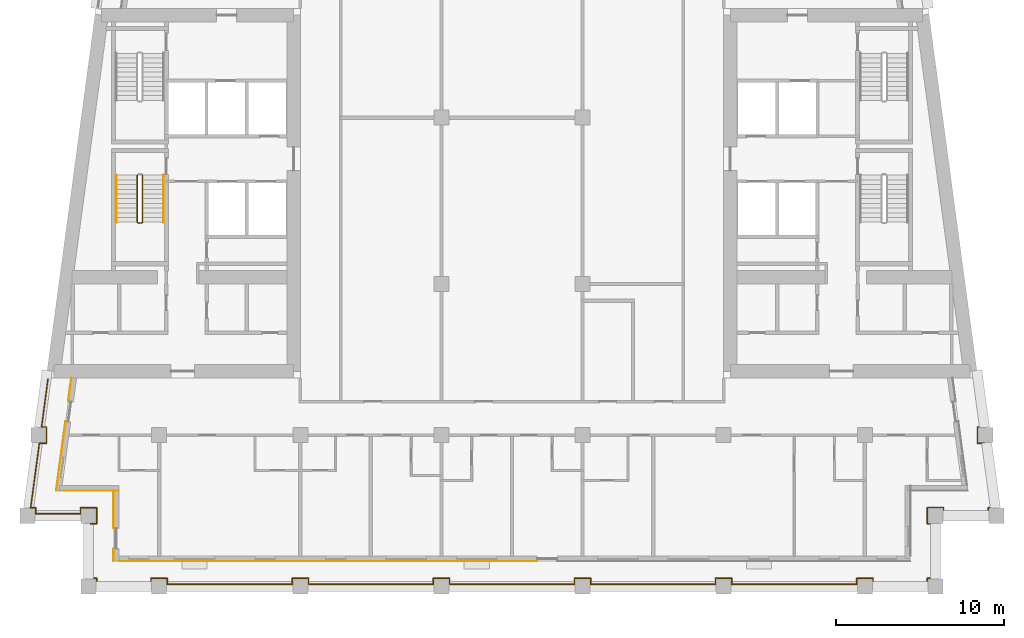
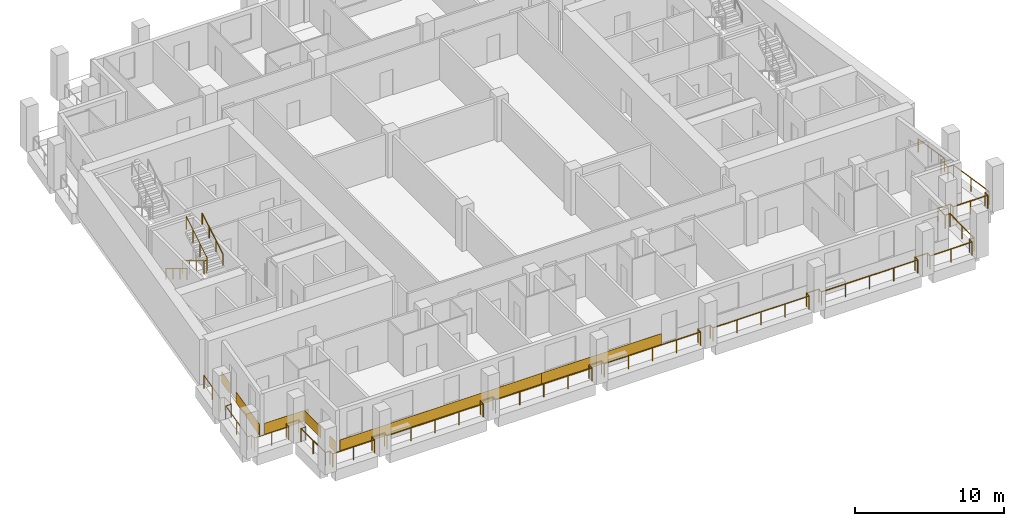
# One storey, part 9 of 13: 7 coverings, 5 railings.
"""IFC4 building model written with IfcOpenShell, lengths in metres."""

from ifc_helpers import new_model, si_unit, direction, frame, origin, origin_2d, place, context, subcontext, project, spatial, rectangle, circle, extrude, material, layer, layer_set, type_object, element, save


model = new_model("IFC4")

# Units and contexts
model_context = context("Model", 3, precision=1e-05, world=origin(), true_north=direction((0.0, 1.0)))
body_context = subcontext(model_context, "Body", "Model", "MODEL_VIEW")
ifc_project = project(units=[si_unit("LENGTHUNIT", "METRE"), si_unit("AREAUNIT", "SQUARE_METRE"), si_unit("VOLUMEUNIT", "CUBIC_METRE"), si_unit("PLANEANGLEUNIT", "RADIAN"), si_unit("MASSUNIT", "GRAM", prefix="KILO")], contexts=[model_context])

# Site, building, storey
site_placement = place(None, origin())
site = spatial("IfcSite", under=ifc_project, at=site_placement, CompositionType="ELEMENT")
building_placement = place(site_placement, origin())
building = spatial("IfcBuilding", under=site, at=building_placement, Name="Candeia Pilgrim Tower and Theatre", CompositionType="ELEMENT")
storey_placement = place(building_placement, frame((0.0, 0.0, 239.199951171875)))
storey = spatial("IfcBuildingStorey", under=building, at=storey_placement, Name="L58", CompositionType="ELEMENT", Elevation=239.199951171875)

# Railings
ifc_material_1 = material(Name="Stainless steel balustrade", Category="steel")
railing_type_1 = type_object("IfcRailingType", Name="G1 loggia guard 1100", PredefinedType="GUARDRAIL", material=ifc_material_1)
railing_1_placement = place(storey_placement, frame((88.320068359375, 101.719970703125, 0.0)))
element("IfcRailing", 1, at=railing_1_placement, inside=storey, type_object=railing_type_1, Name="Guard L58.1", PredefinedType="GUARDRAIL", context=body_context, shape_type="SweptSolid", body=[
    extrude(circle(Radius=0.02392578125, at=origin_2d()), frame((0.0, 0.0, 1.076171875), z_axis=(1.0, 0.0, 0.0), x_axis=(0.0, 1.0, 0.0)), (0.0, 0.0, 1.0), 0.35986328125),
    extrude(circle(Radius=0.02392578125, at=origin_2d()), frame((0.35986328125, 0.0, 1.076171875), z_axis=(0.0, 1.0, 0.0), x_axis=(-1.0, 0.0, 0.0)), (0.0, 0.0, 1.0), 0.9599609375),
    extrude(circle(Radius=0.02392578125, at=origin_2d()), frame((0.35986328125, 0.9599609375, 1.076171875), z_axis=(-1.0, 0.0, 0.0), x_axis=(0.0, -1.0, 0.0)), (0.0, 0.0, 1.0), 0.9599609375),
    extrude(circle(Radius=0.02392578125, at=origin_2d()), frame((-0.60009765625, 0.9599609375, 1.076171875), z_axis=(0.0, -1.0, 0.0), x_axis=(1.0, 0.0, 0.0)), (0.0, 0.0, 1.0), 0.35986328125),
    extrude(circle(Radius=0.02392578125, at=origin_2d()), frame((-0.60009765625, 0.60009765625, 1.076171875), z_axis=(-1.0, 0.0, 0.0), x_axis=(0.0, -1.0, 0.0)), (0.0, 0.0, 1.0), 2.674560546875),
    extrude(circle(Radius=0.02392578125, at=origin_2d()), frame((-3.274658203125, 0.60009765625, 1.076171875), z_axis=(0.0, 1.0, 0.0), x_axis=(-1.0, 0.0, 0.0)), (0.0, 0.0, 1.0), 0.35986328125),
    extrude(circle(Radius=0.02392578125, at=origin_2d()), frame((-3.274658203125, 0.9599609375, 1.076171875), z_axis=(-1.0, 0.0, 0.0), x_axis=(0.0, -1.0, 0.0)), (0.0, 0.0, 1.0), 0.29443359375),
    extrude(circle(Radius=0.02392578125, at=origin_2d()), frame((-3.569091796875, 0.9599609375, 1.076171875), z_axis=(0.133451286285, 0.991055373927, 0.0), x_axis=(-0.991055373927, 0.133451286285, 0.0)), (0.0, 0.0, 1.0), 3.874755859375),
    extrude(circle(Radius=0.02392578125, at=origin_2d()), frame((-3.052001953125, 4.800048828125, 1.076171875), z_axis=(1.0, 0.0, 0.0), x_axis=(0.0, 1.0, 0.0)), (0.0, 0.0, 1.0), 0.423583984375),
    extrude(circle(Radius=0.02392578125, at=origin_2d()), frame((-2.62841796875, 4.800048828125, 1.076171875), z_axis=(0.0, 1.0, 0.0), x_axis=(-1.0, 0.0, 0.0)), (0.0, 0.0, 1.0), 0.9599609375),
    extrude(circle(Radius=0.02392578125, at=origin_2d()), frame((-2.62841796875, 5.760009765625, 1.076171875), z_axis=(-1.0, 0.0, 0.0), x_axis=(0.0, -1.0, 0.0)), (0.0, 0.0, 1.0), 0.29443359375),
    extrude(circle(Radius=0.02392578125, at=origin_2d()), frame((-2.9228515625, 5.760009765625, 1.076171875), z_axis=(0.133450228179, 0.991055516406, 0.0), x_axis=(-0.991055516406, 0.133450228179, 0.0)), (0.0, 0.0, 1.0), 2.89599609375),
    extrude(circle(Radius=0.02099609375, at=origin_2d()), origin(), (0.0, 0.0, 1.0), 1.052001953125),
    extrude(circle(Radius=0.02099609375, at=origin_2d()), frame((0.35986328125, 0.0, 0.0)), (0.0, 0.0, 1.0), 1.052001953125),
    extrude(circle(Radius=0.02099609375, at=origin_2d()), frame((0.35986328125, 0.9599609375, 0.0)), (0.0, 0.0, 1.0), 1.052001953125),
    extrude(circle(Radius=0.02099609375, at=origin_2d()), frame((-0.60009765625, 0.9599609375, 0.0)), (0.0, 0.0, 1.0), 1.052001953125),
    extrude(circle(Radius=0.02099609375, at=origin_2d()), frame((-0.60009765625, 0.60009765625, 0.0)), (0.0, 0.0, 1.0), 1.052001953125),
    extrude(circle(Radius=0.02099609375, at=origin_2d()), frame((-1.9375, 0.60009765625, 0.0)), (0.0, 0.0, 1.0), 1.052001953125),
    extrude(circle(Radius=0.02099609375, at=origin_2d()), frame((-3.274658203125, 0.60009765625, 0.0)), (0.0, 0.0, 1.0), 1.052001953125),
    extrude(circle(Radius=0.02099609375, at=origin_2d()), frame((-3.274658203125, 0.9599609375, 0.0)), (0.0, 0.0, 1.0), 1.052001953125),
    extrude(circle(Radius=0.02099609375, at=origin_2d()), frame((-3.569091796875, 0.9599609375, 0.0)), (0.0, 0.0, 1.0), 1.052001953125),
    extrude(circle(Radius=0.02099609375, at=origin_2d()), frame((-3.310546875, 2.8798828125, 0.0)), (0.0, 0.0, 1.0), 1.052001953125),
    extrude(circle(Radius=0.02099609375, at=origin_2d()), frame((-3.052001953125, 4.800048828125, 0.0)), (0.0, 0.0, 1.0), 1.052001953125),
    extrude(circle(Radius=0.02099609375, at=origin_2d()), frame((-2.62841796875, 4.800048828125, 0.0)), (0.0, 0.0, 1.0), 1.052001953125),
    extrude(circle(Radius=0.02099609375, at=origin_2d()), frame((-2.62841796875, 5.760009765625, 0.0)), (0.0, 0.0, 1.0), 1.052001953125),
    extrude(circle(Radius=0.02099609375, at=origin_2d()), frame((-2.9228515625, 5.760009765625, 0.0)), (0.0, 0.0, 1.0), 1.052001953125),
    extrude(circle(Radius=0.02099609375, at=origin_2d()), frame((-2.7294921875, 7.195068359375, 0.0)), (0.0, 0.0, 1.0), 1.052001953125),
    extrude(circle(Radius=0.02099609375, at=origin_2d()), frame((-2.536376953125, 8.630126953125, 0.0)), (0.0, 0.0, 1.0), 1.052001953125),
])
railing_2_placement = place(storey_placement, frame((141.016357421875, 110.35009765625, 0.0)))
element("IfcRailing", 2, at=railing_2_placement, inside=storey, type_object=railing_type_1, Name="Guard L58.4", PredefinedType="GUARDRAIL", context=body_context, shape_type="SweptSolid", body=[
    extrude(circle(Radius=0.02392578125, at=origin_2d()), frame((0.0, 0.0, 1.076171875), z_axis=(0.133450228179, -0.991055516406, 0.0), x_axis=(0.991055516406, 0.133450228179, 0.0)), (0.0, 0.0, 1.0), 2.89599609375),
    extrude(circle(Radius=0.02392578125, at=origin_2d()), frame((0.386474609375, -2.8701171875, 1.076171875), z_axis=(-1.0, 0.0, 0.0), x_axis=(0.0, -1.0, 0.0)), (0.0, 0.0, 1.0), 0.29443359375),
    extrude(circle(Radius=0.02392578125, at=origin_2d()), frame((0.092041015625, -2.8701171875, 1.076171875), z_axis=(0.0, -1.0, 0.0), x_axis=(1.0, 0.0, 0.0)), (0.0, 0.0, 1.0), 0.9599609375),
    extrude(circle(Radius=0.02392578125, at=origin_2d()), frame((0.092041015625, -3.830078125, 1.076171875), z_axis=(1.0, 0.0, 0.0), x_axis=(0.0, 1.0, 0.0)), (0.0, 0.0, 1.0), 0.423583984375),
    extrude(circle(Radius=0.02392578125, at=origin_2d()), frame((0.515625, -3.830078125, 1.076171875), z_axis=(0.133389399471, -0.991063705374, 0.0), x_axis=(0.991063705374, 0.133389399471, 0.0)), (0.0, 0.0, 1.0), 3.874755859375),
    extrude(circle(Radius=0.02392578125, at=origin_2d()), frame((1.032470703125, -7.670166015625, 1.076171875), z_axis=(-1.0, 0.0, 0.0), x_axis=(0.0, -1.0, 0.0)), (0.0, 0.0, 1.0), 0.294189453125),
    extrude(circle(Radius=0.02392578125, at=origin_2d()), frame((0.73828125, -7.670166015625, 1.076171875), z_axis=(0.0, -1.0, 0.0), x_axis=(1.0, 0.0, 0.0)), (0.0, 0.0, 1.0), 0.35986328125),
    extrude(circle(Radius=0.02392578125, at=origin_2d()), frame((0.73828125, -8.030029296875, 1.076171875), z_axis=(-1.0, 0.0, 0.0), x_axis=(0.0, -1.0, 0.0)), (0.0, 0.0, 1.0), 2.674560546875),
    extrude(circle(Radius=0.02392578125, at=origin_2d()), frame((-1.936279296875, -8.030029296875, 1.076171875), z_axis=(0.0, 1.0, 0.0), x_axis=(-1.0, 0.0, 0.0)), (0.0, 0.0, 1.0), 0.35986328125),
    extrude(circle(Radius=0.02392578125, at=origin_2d()), frame((-1.936279296875, -7.670166015625, 1.076171875), z_axis=(-1.0, 0.0, 0.0), x_axis=(0.0, -1.0, 0.0)), (0.0, 0.0, 1.0), 0.9599609375),
    extrude(circle(Radius=0.02392578125, at=origin_2d()), frame((-2.896240234375, -7.670166015625, 1.076171875), z_axis=(0.0, -1.0, 0.0), x_axis=(1.0, 0.0, 0.0)), (0.0, 0.0, 1.0), 0.9599609375),
    extrude(circle(Radius=0.02392578125, at=origin_2d()), frame((-2.896240234375, -8.630126953125, 1.076171875), z_axis=(1.0, 0.0, 0.0), x_axis=(0.0, 1.0, 0.0)), (0.0, 0.0, 1.0), 0.35986328125),
    extrude(circle(Radius=0.02392578125, at=origin_2d()), frame((-2.536376953125, -8.630126953125, 1.076171875), z_axis=(0.0, -1.0, 0.0), x_axis=(1.0, 0.0, 0.0)), (0.0, 0.0, 1.0), 3.239990234375),
    extrude(circle(Radius=0.02392578125, at=origin_2d()), frame((-2.536376953125, -11.8701171875, 1.076171875), z_axis=(-1.0, 0.0, 0.0), x_axis=(0.0, -1.0, 0.0)), (0.0, 0.0, 1.0), 0.35986328125),
    extrude(circle(Radius=0.02392578125, at=origin_2d()), frame((-2.896240234375, -11.8701171875, 1.076171875), z_axis=(0.0, -1.0, 0.0), x_axis=(1.0, 0.0, 0.0)), (0.0, 0.0, 1.0), 0.35986328125),
    extrude(circle(Radius=0.02392578125, at=origin_2d()), frame((-2.896240234375, -12.22998046875, 1.076171875), z_axis=(-1.0, 0.0, 0.0), x_axis=(0.0, -1.0, 0.0)), (0.0, 0.0, 1.0), 3.240234375),
    extrude(circle(Radius=0.02392578125, at=origin_2d()), frame((-6.136474609375, -12.22998046875, 1.076171875), z_axis=(0.0, 1.0, 0.0), x_axis=(-1.0, 0.0, 0.0)), (0.0, 0.0, 1.0), 0.35986328125),
    extrude(circle(Radius=0.02392578125, at=origin_2d()), frame((-6.136474609375, -11.8701171875, 1.076171875), z_axis=(-1.0, 0.0, 0.0), x_axis=(0.0, -1.0, 0.0)), (0.0, 0.0, 1.0), 0.9599609375),
    extrude(circle(Radius=0.02392578125, at=origin_2d()), frame((-7.096435546875, -11.8701171875, 1.076171875), z_axis=(0.0, -1.0, 0.0), x_axis=(1.0, 0.0, 0.0)), (0.0, 0.0, 1.0), 0.35986328125),
    extrude(circle(Radius=0.02392578125, at=origin_2d()), frame((-7.096435546875, -12.22998046875, 1.076171875), z_axis=(-1.0, 0.0, 0.0), x_axis=(0.0, -1.0, 0.0)), (0.0, 0.0, 1.0), 7.43994140625),
    extrude(circle(Radius=0.02392578125, at=origin_2d()), frame((-14.536376953125, -12.22998046875, 1.076171875), z_axis=(0.0, 1.0, 0.0), x_axis=(-1.0, 0.0, 0.0)), (0.0, 0.0, 1.0), 0.35986328125),
    extrude(circle(Radius=0.02392578125, at=origin_2d()), frame((-14.536376953125, -11.8701171875, 1.076171875), z_axis=(-1.0, 0.0, 0.0), x_axis=(0.0, -1.0, 0.0)), (0.0, 0.0, 1.0), 0.9599609375),
    extrude(circle(Radius=0.02392578125, at=origin_2d()), frame((-15.496337890625, -11.8701171875, 1.076171875), z_axis=(0.0, -1.0, 0.0), x_axis=(1.0, 0.0, 0.0)), (0.0, 0.0, 1.0), 0.35986328125),
    extrude(circle(Radius=0.02392578125, at=origin_2d()), frame((-15.496337890625, -12.22998046875, 1.076171875), z_axis=(-1.0, 0.0, 0.0), x_axis=(0.0, -1.0, 0.0)), (0.0, 0.0, 1.0), 7.43994140625),
    extrude(circle(Radius=0.02392578125, at=origin_2d()), frame((-22.936279296875, -12.22998046875, 1.076171875), z_axis=(0.0, 1.0, 0.0), x_axis=(-1.0, 0.0, 0.0)), (0.0, 0.0, 1.0), 0.35986328125),
    extrude(circle(Radius=0.02392578125, at=origin_2d()), frame((-22.936279296875, -11.8701171875, 1.076171875), z_axis=(-1.0, 0.0, 0.0), x_axis=(0.0, -1.0, 0.0)), (0.0, 0.0, 1.0), 0.9599609375),
    extrude(circle(Radius=0.02392578125, at=origin_2d()), frame((-23.896240234375, -11.8701171875, 1.076171875), z_axis=(0.0, -1.0, 0.0), x_axis=(1.0, 0.0, 0.0)), (0.0, 0.0, 1.0), 0.35986328125),
    extrude(circle(Radius=0.02392578125, at=origin_2d()), frame((-23.896240234375, -12.22998046875, 1.076171875), z_axis=(-1.0, 0.0, 0.0), x_axis=(0.0, -1.0, 0.0)), (0.0, 0.0, 1.0), 7.440185546875),
    extrude(circle(Radius=0.02392578125, at=origin_2d()), frame((-31.33642578125, -12.22998046875, 1.076171875), z_axis=(0.0, 1.0, 0.0), x_axis=(-1.0, 0.0, 0.0)), (0.0, 0.0, 1.0), 0.35986328125),
    extrude(circle(Radius=0.02392578125, at=origin_2d()), frame((-31.33642578125, -11.8701171875, 1.076171875), z_axis=(-1.0, 0.0, 0.0), x_axis=(0.0, -1.0, 0.0)), (0.0, 0.0, 1.0), 0.9599609375),
    extrude(circle(Radius=0.02392578125, at=origin_2d()), frame((-32.29638671875, -11.8701171875, 1.076171875), z_axis=(0.0, -1.0, 0.0), x_axis=(1.0, 0.0, 0.0)), (0.0, 0.0, 1.0), 0.35986328125),
    extrude(circle(Radius=0.02392578125, at=origin_2d()), frame((-32.29638671875, -12.22998046875, 1.076171875), z_axis=(-1.0, 0.0, 0.0), x_axis=(0.0, -1.0, 0.0)), (0.0, 0.0, 1.0), 7.43994140625),
    extrude(circle(Radius=0.02392578125, at=origin_2d()), frame((-39.736328125, -12.22998046875, 1.076171875), z_axis=(0.0, 1.0, 0.0), x_axis=(-1.0, 0.0, 0.0)), (0.0, 0.0, 1.0), 0.35986328125),
    extrude(circle(Radius=0.02392578125, at=origin_2d()), frame((-39.736328125, -11.8701171875, 1.076171875), z_axis=(-1.0, 0.0, 0.0), x_axis=(0.0, -1.0, 0.0)), (0.0, 0.0, 1.0), 0.9599609375),
    extrude(circle(Radius=0.02392578125, at=origin_2d()), frame((-40.6962890625, -11.8701171875, 1.076171875), z_axis=(0.0, -1.0, 0.0), x_axis=(1.0, 0.0, 0.0)), (0.0, 0.0, 1.0), 0.35986328125),
    extrude(circle(Radius=0.02392578125, at=origin_2d()), frame((-40.6962890625, -12.22998046875, 1.076171875), z_axis=(-1.0, 0.0, 0.0), x_axis=(0.0, -1.0, 0.0)), (0.0, 0.0, 1.0), 7.440185546875),
    extrude(circle(Radius=0.02392578125, at=origin_2d()), frame((-48.136474609375, -12.22998046875, 1.076171875), z_axis=(0.0, 1.0, 0.0), x_axis=(-1.0, 0.0, 0.0)), (0.0, 0.0, 1.0), 0.35986328125),
    extrude(circle(Radius=0.02392578125, at=origin_2d()), frame((-48.136474609375, -11.8701171875, 1.076171875), z_axis=(-1.0, 0.0, 0.0), x_axis=(0.0, -1.0, 0.0)), (0.0, 0.0, 1.0), 0.9599609375),
    extrude(circle(Radius=0.02392578125, at=origin_2d()), frame((-49.096435546875, -11.8701171875, 1.076171875), z_axis=(0.0, -1.0, 0.0), x_axis=(1.0, 0.0, 0.0)), (0.0, 0.0, 1.0), 0.35986328125),
    extrude(circle(Radius=0.02392578125, at=origin_2d()), frame((-49.096435546875, -12.22998046875, 1.076171875), z_axis=(-1.0, 0.0, 0.0), x_axis=(0.0, -1.0, 0.0)), (0.0, 0.0, 1.0), 3.239990234375),
    extrude(circle(Radius=0.02392578125, at=origin_2d()), frame((-52.33642578125, -12.22998046875, 1.076171875), z_axis=(0.0, 1.0, 0.0), x_axis=(-1.0, 0.0, 0.0)), (0.0, 0.0, 1.0), 0.35986328125),
    extrude(circle(Radius=0.02392578125, at=origin_2d()), frame((-52.33642578125, -11.8701171875, 1.076171875), z_axis=(-1.0, 0.0, 0.0), x_axis=(0.0, -1.0, 0.0)), (0.0, 0.0, 1.0), 0.35986328125),
    extrude(circle(Radius=0.02392578125, at=origin_2d()), frame((-52.6962890625, -11.8701171875, 1.076171875), z_axis=(0.0, 1.0, 0.0), x_axis=(-1.0, 0.0, 0.0)), (0.0, 0.0, 1.0), 3.239990234375),
    extrude(circle(Radius=0.02099609375, at=origin_2d()), origin(), (0.0, 0.0, 1.0), 1.052001953125),
    extrude(circle(Radius=0.02099609375, at=origin_2d()), frame((0.193359375, -1.43505859375, 0.0)), (0.0, 0.0, 1.0), 1.052001953125),
    extrude(circle(Radius=0.02099609375, at=origin_2d()), frame((0.386474609375, -2.8701171875, 0.0)), (0.0, 0.0, 1.0), 1.052001953125),
    extrude(circle(Radius=0.02099609375, at=origin_2d()), frame((0.092041015625, -2.8701171875, 0.0)), (0.0, 0.0, 1.0), 1.052001953125),
    extrude(circle(Radius=0.02099609375, at=origin_2d()), frame((0.092041015625, -3.830078125, 0.0)), (0.0, 0.0, 1.0), 1.052001953125),
    extrude(circle(Radius=0.02099609375, at=origin_2d()), frame((0.515625, -3.830078125, 0.0)), (0.0, 0.0, 1.0), 1.052001953125),
    extrude(circle(Radius=0.02099609375, at=origin_2d()), frame((0.77392578125, -5.75, 0.0)), (0.0, 0.0, 1.0), 1.052001953125),
    extrude(circle(Radius=0.02099609375, at=origin_2d()), frame((1.032470703125, -7.670166015625, 0.0)), (0.0, 0.0, 1.0), 1.052001953125),
    extrude(circle(Radius=0.02099609375, at=origin_2d()), frame((0.73828125, -7.670166015625, 0.0)), (0.0, 0.0, 1.0), 1.052001953125),
    extrude(circle(Radius=0.02099609375, at=origin_2d()), frame((0.73828125, -8.030029296875, 0.0)), (0.0, 0.0, 1.0), 1.052001953125),
    extrude(circle(Radius=0.02099609375, at=origin_2d()), frame((-0.59912109375, -8.030029296875, 0.0)), (0.0, 0.0, 1.0), 1.052001953125),
    extrude(circle(Radius=0.02099609375, at=origin_2d()), frame((-1.936279296875, -8.030029296875, 0.0)), (0.0, 0.0, 1.0), 1.052001953125),
    extrude(circle(Radius=0.02099609375, at=origin_2d()), frame((-1.936279296875, -7.670166015625, 0.0)), (0.0, 0.0, 1.0), 1.052001953125),
    extrude(circle(Radius=0.02099609375, at=origin_2d()), frame((-2.896240234375, -7.670166015625, 0.0)), (0.0, 0.0, 1.0), 1.052001953125),
    extrude(circle(Radius=0.02099609375, at=origin_2d()), frame((-2.896240234375, -8.630126953125, 0.0)), (0.0, 0.0, 1.0), 1.052001953125),
    extrude(circle(Radius=0.02099609375, at=origin_2d()), frame((-2.536376953125, -8.630126953125, 0.0)), (0.0, 0.0, 1.0), 1.052001953125),
    extrude(circle(Radius=0.02099609375, at=origin_2d()), frame((-2.536376953125, -10.25, 0.0)), (0.0, 0.0, 1.0), 1.052001953125),
    extrude(circle(Radius=0.02099609375, at=origin_2d()), frame((-2.536376953125, -11.8701171875, 0.0)), (0.0, 0.0, 1.0), 1.052001953125),
    extrude(circle(Radius=0.02099609375, at=origin_2d()), frame((-2.896240234375, -11.8701171875, 0.0)), (0.0, 0.0, 1.0), 1.052001953125),
    extrude(circle(Radius=0.02099609375, at=origin_2d()), frame((-2.896240234375, -12.22998046875, 0.0)), (0.0, 0.0, 1.0), 1.052001953125),
    extrude(circle(Radius=0.02099609375, at=origin_2d()), frame((-4.516357421875, -12.22998046875, 0.0)), (0.0, 0.0, 1.0), 1.052001953125),
    extrude(circle(Radius=0.02099609375, at=origin_2d()), frame((-6.136474609375, -12.22998046875, 0.0)), (0.0, 0.0, 1.0), 1.052001953125),
    extrude(circle(Radius=0.02099609375, at=origin_2d()), frame((-6.136474609375, -11.8701171875, 0.0)), (0.0, 0.0, 1.0), 1.052001953125),
    extrude(circle(Radius=0.02099609375, at=origin_2d()), frame((-7.096435546875, -11.8701171875, 0.0)), (0.0, 0.0, 1.0), 1.052001953125),
    extrude(circle(Radius=0.02099609375, at=origin_2d()), frame((-7.096435546875, -12.22998046875, 0.0)), (0.0, 0.0, 1.0), 1.052001953125),
    extrude(circle(Radius=0.02099609375, at=origin_2d()), frame((-8.95654296875, -12.22998046875, 0.0)), (0.0, 0.0, 1.0), 1.052001953125),
    extrude(circle(Radius=0.02099609375, at=origin_2d()), frame((-10.81640625, -12.22998046875, 0.0)), (0.0, 0.0, 1.0), 1.052001953125),
    extrude(circle(Radius=0.02099609375, at=origin_2d()), frame((-12.67626953125, -12.22998046875, 0.0)), (0.0, 0.0, 1.0), 1.052001953125),
    extrude(circle(Radius=0.02099609375, at=origin_2d()), frame((-14.536376953125, -12.22998046875, 0.0)), (0.0, 0.0, 1.0), 1.052001953125),
    extrude(circle(Radius=0.02099609375, at=origin_2d()), frame((-14.536376953125, -11.8701171875, 0.0)), (0.0, 0.0, 1.0), 1.052001953125),
    extrude(circle(Radius=0.02099609375, at=origin_2d()), frame((-15.496337890625, -11.8701171875, 0.0)), (0.0, 0.0, 1.0), 1.052001953125),
    extrude(circle(Radius=0.02099609375, at=origin_2d()), frame((-15.496337890625, -12.22998046875, 0.0)), (0.0, 0.0, 1.0), 1.052001953125),
    extrude(circle(Radius=0.02099609375, at=origin_2d()), frame((-17.3564453125, -12.22998046875, 0.0)), (0.0, 0.0, 1.0), 1.052001953125),
    extrude(circle(Radius=0.02099609375, at=origin_2d()), frame((-19.21630859375, -12.22998046875, 0.0)), (0.0, 0.0, 1.0), 1.052001953125),
    extrude(circle(Radius=0.02099609375, at=origin_2d()), frame((-21.076171875, -12.22998046875, 0.0)), (0.0, 0.0, 1.0), 1.052001953125),
    extrude(circle(Radius=0.02099609375, at=origin_2d()), frame((-22.936279296875, -12.22998046875, 0.0)), (0.0, 0.0, 1.0), 1.052001953125),
    extrude(circle(Radius=0.02099609375, at=origin_2d()), frame((-22.936279296875, -11.8701171875, 0.0)), (0.0, 0.0, 1.0), 1.052001953125),
    extrude(circle(Radius=0.02099609375, at=origin_2d()), frame((-23.896240234375, -11.8701171875, 0.0)), (0.0, 0.0, 1.0), 1.052001953125),
    extrude(circle(Radius=0.02099609375, at=origin_2d()), frame((-23.896240234375, -12.22998046875, 0.0)), (0.0, 0.0, 1.0), 1.052001953125),
    extrude(circle(Radius=0.02099609375, at=origin_2d()), frame((-25.75634765625, -12.22998046875, 0.0)), (0.0, 0.0, 1.0), 1.052001953125),
    extrude(circle(Radius=0.02099609375, at=origin_2d()), frame((-27.6162109375, -12.22998046875, 0.0)), (0.0, 0.0, 1.0), 1.052001953125),
    extrude(circle(Radius=0.02099609375, at=origin_2d()), frame((-29.476318359375, -12.22998046875, 0.0)), (0.0, 0.0, 1.0), 1.052001953125),
    extrude(circle(Radius=0.02099609375, at=origin_2d()), frame((-31.33642578125, -12.22998046875, 0.0)), (0.0, 0.0, 1.0), 1.052001953125),
    extrude(circle(Radius=0.02099609375, at=origin_2d()), frame((-31.33642578125, -11.8701171875, 0.0)), (0.0, 0.0, 1.0), 1.052001953125),
    extrude(circle(Radius=0.02099609375, at=origin_2d()), frame((-32.29638671875, -11.8701171875, 0.0)), (0.0, 0.0, 1.0), 1.052001953125),
    extrude(circle(Radius=0.02099609375, at=origin_2d()), frame((-32.29638671875, -12.22998046875, 0.0)), (0.0, 0.0, 1.0), 1.052001953125),
    extrude(circle(Radius=0.02099609375, at=origin_2d()), frame((-34.15625, -12.22998046875, 0.0)), (0.0, 0.0, 1.0), 1.052001953125),
    extrude(circle(Radius=0.02099609375, at=origin_2d()), frame((-36.016357421875, -12.22998046875, 0.0)), (0.0, 0.0, 1.0), 1.052001953125),
    extrude(circle(Radius=0.02099609375, at=origin_2d()), frame((-37.87646484375, -12.22998046875, 0.0)), (0.0, 0.0, 1.0), 1.052001953125),
    extrude(circle(Radius=0.02099609375, at=origin_2d()), frame((-39.736328125, -12.22998046875, 0.0)), (0.0, 0.0, 1.0), 1.052001953125),
    extrude(circle(Radius=0.02099609375, at=origin_2d()), frame((-39.736328125, -11.8701171875, 0.0)), (0.0, 0.0, 1.0), 1.052001953125),
    extrude(circle(Radius=0.02099609375, at=origin_2d()), frame((-40.6962890625, -11.8701171875, 0.0)), (0.0, 0.0, 1.0), 1.052001953125),
    extrude(circle(Radius=0.02099609375, at=origin_2d()), frame((-40.6962890625, -12.22998046875, 0.0)), (0.0, 0.0, 1.0), 1.052001953125),
    extrude(circle(Radius=0.02099609375, at=origin_2d()), frame((-42.556396484375, -12.22998046875, 0.0)), (0.0, 0.0, 1.0), 1.052001953125),
    extrude(circle(Radius=0.02099609375, at=origin_2d()), frame((-44.41650390625, -12.22998046875, 0.0)), (0.0, 0.0, 1.0), 1.052001953125),
    extrude(circle(Radius=0.02099609375, at=origin_2d()), frame((-46.2763671875, -12.22998046875, 0.0)), (0.0, 0.0, 1.0), 1.052001953125),
    extrude(circle(Radius=0.02099609375, at=origin_2d()), frame((-48.136474609375, -12.22998046875, 0.0)), (0.0, 0.0, 1.0), 1.052001953125),
    extrude(circle(Radius=0.02099609375, at=origin_2d()), frame((-48.136474609375, -11.8701171875, 0.0)), (0.0, 0.0, 1.0), 1.052001953125),
    extrude(circle(Radius=0.02099609375, at=origin_2d()), frame((-49.096435546875, -11.8701171875, 0.0)), (0.0, 0.0, 1.0), 1.052001953125),
    extrude(circle(Radius=0.02099609375, at=origin_2d()), frame((-49.096435546875, -12.22998046875, 0.0)), (0.0, 0.0, 1.0), 1.052001953125),
    extrude(circle(Radius=0.02099609375, at=origin_2d()), frame((-50.71630859375, -12.22998046875, 0.0)), (0.0, 0.0, 1.0), 1.052001953125),
    extrude(circle(Radius=0.02099609375, at=origin_2d()), frame((-52.33642578125, -12.22998046875, 0.0)), (0.0, 0.0, 1.0), 1.052001953125),
    extrude(circle(Radius=0.02099609375, at=origin_2d()), frame((-52.33642578125, -11.8701171875, 0.0)), (0.0, 0.0, 1.0), 1.052001953125),
    extrude(circle(Radius=0.02099609375, at=origin_2d()), frame((-52.6962890625, -11.8701171875, 0.0)), (0.0, 0.0, 1.0), 1.052001953125),
    extrude(circle(Radius=0.02099609375, at=origin_2d()), frame((-52.6962890625, -10.25, 0.0)), (0.0, 0.0, 1.0), 1.052001953125),
    extrude(circle(Radius=0.02099609375, at=origin_2d()), frame((-52.6962890625, -8.630126953125, 0.0)), (0.0, 0.0, 1.0), 1.052001953125),
])

# Coverings
ifc_material_2 = material(Name="Glazed ceramic tile bottle green")
ifc_layer_1 = layer(ifc_material_2, 0.02001953125)
ifc_layer_set_1 = layer_set([ifc_layer_1], Name="Glazed ceramic tile bottle green")
covering_type_1 = type_object("IfcCoveringType", Name="Glazed ceramic tile bottle green", PredefinedType="CLADDING", material=ifc_layer_set_1)
covering_1_placement = place(storey_placement, frame((110.25, 99.489990234375, 0.0), z_axis=(0.0, 0.0, 1.0), x_axis=(1.0, 0.0, 0.0)))
element("IfcCovering", 3, at=covering_1_placement, inside=storey, type_object=covering_type_1, Name="Tile cladding bottle green L58", PredefinedType="CLADDING", context=body_context, shape_type="SweptSolid", body=[
    extrude(rectangle(XDim=9.300048828125, YDim=0.02001953125, at=origin_2d()), origin(), (0.0, 0.0, 1.0), 0.89990234375),
])
ifc_material_3 = material(Name="Glazed ceramic tile rust")
ifc_layer_2 = layer(ifc_material_3, 0.02001953125)
ifc_layer_set_2 = layer_set([ifc_layer_2], Name="Glazed ceramic tile rust")
covering_type_2 = type_object("IfcCoveringType", Name="Glazed ceramic tile rust", PredefinedType="CLADDING", material=ifc_layer_set_2)
covering_2_placement = place(storey_placement, frame((97.81005859375, 99.489990234375, 0.0), z_axis=(0.0, 0.0, 1.0), x_axis=(1.0, 0.0, 0.0)))
element("IfcCovering", 4, at=covering_2_placement, inside=storey, type_object=covering_type_2, Name="Tile cladding rust L58", PredefinedType="CLADDING", context=body_context, shape_type="SweptSolid", body=[
    extrude(rectangle(XDim=15.580078125, YDim=0.02001953125, at=origin_2d()), origin(), (0.0, 0.0, 1.0), 0.89990234375),
])
covering_3_placement = place(storey_placement, frame((87.0810546875, 109.71875, 0.0), z_axis=(0.0, 0.0, 1.0), x_axis=(-0.133412012145, -0.991060661622, 0.0)))
element("IfcCovering", 5, at=covering_3_placement, inside=storey, type_object=covering_type_2, Name="Tile cladding rust L58", PredefinedType="CLADDING", context=body_context, shape_type="SweptSolid", body=[
    extrude(rectangle(XDim=1.41796875, YDim=0.02001953125, at=origin_2d()), origin(), (0.0, 0.0, 1.0), 0.89990234375),
])
covering_4_placement = place(storey_placement, frame((86.548583984375, 105.763916015625, 0.0), z_axis=(0.0, 0.0, 1.0), x_axis=(-0.133412012145, -0.991060661622, 0.0)))
element("IfcCovering", 6, at=covering_4_placement, inside=storey, type_object=covering_type_2, Name="Tile cladding rust L58", PredefinedType="CLADDING", context=body_context, shape_type="SweptSolid", body=[
    extrude(rectangle(XDim=4.16259765625, YDim=0.02001953125, at=origin_2d()), origin(), (0.0, 0.0, 1.0), 0.89990234375),
])
covering_5_placement = place(storey_placement, frame((88.311279296875, 103.68994140625, 0.0), z_axis=(0.0, 0.0, 1.0), x_axis=(1.0, 0.0, 0.0)))
element("IfcCovering", 7, at=covering_5_placement, inside=storey, type_object=covering_type_2, Name="Tile cladding rust L58", PredefinedType="CLADDING", context=body_context, shape_type="SweptSolid", body=[
    extrude(rectangle(XDim=3.377685546875, YDim=0.02001953125, at=origin_2d()), origin(), (0.0, 0.0, 1.0), 0.89990234375),
])
covering_6_placement = place(storey_placement, frame((89.68994140625, 102.56494140625, 0.0), z_axis=(0.0, 0.0, 1.0), x_axis=(0.0, -1.0, 0.0)))
element("IfcCovering", 8, at=covering_6_placement, inside=storey, type_object=covering_type_2, Name="Tile cladding rust L58", PredefinedType="CLADDING", context=body_context, shape_type="SweptSolid", body=[
    extrude(rectangle(XDim=2.22998046875, YDim=0.02001953125, at=origin_2d()), origin(), (0.0, 0.0, 1.0), 0.89990234375),
])
covering_7_placement = place(storey_placement, frame((89.68994140625, 99.875, 0.0), z_axis=(0.0, 0.0, 1.0), x_axis=(0.0, -1.0, 0.0)))
element("IfcCovering", 9, at=covering_7_placement, inside=storey, type_object=covering_type_2, Name="Tile cladding rust L58", PredefinedType="CLADDING", context=body_context, shape_type="SweptSolid", body=[
    extrude(rectangle(XDim=0.75, YDim=0.02001953125, at=origin_2d()), origin(), (0.0, 0.0, 1.0), 0.89990234375),
])

# Railings
railing_type_2 = type_object("IfcRailingType", Name="RL-GUARD-1100", PredefinedType="GUARDRAIL", material=ifc_material_1)
railing_3_placement = place(storey_placement, frame((91.10205078125, 122.47509765625, 0.168212890625)))
element("IfcRailing", 10, at=railing_3_placement, inside=storey, type_object=railing_type_2, Name="L58 ST1 stair guard 1", PredefinedType="GUARDRAIL", context=body_context, shape_type="SweptSolid", body=[
    extrude(circle(Radius=0.02392578125, at=origin_2d()), frame((0.0, 0.0, 1.076171875), z_axis=(0.0, -0.857242210791, 0.514913383045), x_axis=(1.0, 0.0, 0.0)), (0.0, 0.0, 1.0), 3.266357421875),
    extrude(circle(Radius=0.02392578125, at=origin_2d()), frame((0.0, -2.800048828125, 2.7578125), z_axis=(0.707106781187, -0.707106781187, 0.0), x_axis=(0.707106781187, 0.707106781187, 0.0)), (0.0, 0.0, 1.0), 0.07080078125),
    extrude(circle(Radius=0.02392578125, at=origin_2d()), frame((0.050048828125, -2.85009765625, 2.7578125), z_axis=(1.0, 0.0, 0.0), x_axis=(0.0, 1.0, 0.0)), (0.0, 0.0, 1.0), 0.199951171875),
    extrude(circle(Radius=0.02392578125, at=origin_2d()), frame((0.25, -2.85009765625, 2.7578125), z_axis=(0.274243871929, 0.274243871929, 0.92172696468), x_axis=(-0.707106781187, 0.707106781187, 0.0)), (0.0, 0.0, 1.0), 0.1826171875),
    extrude(circle(Radius=0.02392578125, at=origin_2d()), frame((0.300048828125, -2.800048828125, 2.92626953125), z_axis=(0.0, 0.857275202839, 0.514858452973), x_axis=(-1.0, 0.0, 0.0)), (0.0, 0.0, 1.0), 3.26611328125),
    extrude(circle(Radius=0.02099609375, at=origin_2d()), origin(), (0.0, 0.0, 1.0), 1.052001953125),
    extrude(circle(Radius=0.02099609375, at=origin_2d()), frame((0.0, -0.933349609375, 0.560546875)), (0.0, 0.0, 1.0), 1.052001953125),
    extrude(circle(Radius=0.02099609375, at=origin_2d()), frame((0.0, -1.86669921875, 1.121337890625)), (0.0, 0.0, 1.0), 1.052001953125),
    extrude(circle(Radius=0.02099609375, at=origin_2d()), frame((0.0, -2.800048828125, 1.681884765625)), (0.0, 0.0, 1.0), 1.052001953125),
    extrude(circle(Radius=0.02099609375, at=origin_2d()), frame((0.050048828125, -2.85009765625, 1.681884765625)), (0.0, 0.0, 1.0), 1.052001953125),
    extrude(circle(Radius=0.02099609375, at=origin_2d()), frame((0.25, -2.85009765625, 1.681884765625)), (0.0, 0.0, 1.0), 1.052001953125),
    extrude(circle(Radius=0.02099609375, at=origin_2d()), frame((0.300048828125, -2.800048828125, 1.85009765625)), (0.0, 0.0, 1.0), 1.052001953125),
    extrude(circle(Radius=0.02099609375, at=origin_2d()), frame((0.300048828125, -1.86669921875, 2.41064453125)), (0.0, 0.0, 1.0), 1.052001953125),
    extrude(circle(Radius=0.02099609375, at=origin_2d()), frame((0.300048828125, -0.933349609375, 2.97119140625)), (0.0, 0.0, 1.0), 1.052001953125),
    extrude(circle(Radius=0.02099609375, at=origin_2d()), frame((0.300048828125, 0.0, 3.53173828125)), (0.0, 0.0, 1.0), 1.052001953125),
])
ifc_material_4 = material(Name="Stainless steel handrail", Category="steel")
railing_type_3 = type_object("IfcRailingType", Name="RL-HANDRAIL-900", PredefinedType="HANDRAIL", material=ifc_material_4)
railing_4_placement = place(storey_placement, frame((89.85205078125, 122.47509765625, 0.168212890625)))
element("IfcRailing", 11, at=railing_4_placement, inside=storey, type_object=railing_type_3, Name="L58 ST1 stair handrail 1", PredefinedType="HANDRAIL", context=body_context, shape_type="SweptSolid", body=[
    extrude(circle(Radius=0.02392578125, at=origin_2d()), frame((0.0, 0.0, 0.8759765625), z_axis=(0.0, -0.857242210791, 0.514913383045), x_axis=(1.0, 0.0, 0.0)), (0.0, 0.0, 1.0), 3.266357421875),
    extrude(circle(Radius=0.02099609375, at=origin_2d()), origin(), (0.0, 0.0, 1.0), 0.851806640625),
    extrude(circle(Radius=0.02099609375, at=origin_2d()), frame((0.0, -0.933349609375, 0.560546875)), (0.0, 0.0, 1.0), 0.851806640625),
    extrude(circle(Radius=0.02099609375, at=origin_2d()), frame((0.0, -1.86669921875, 1.121337890625)), (0.0, 0.0, 1.0), 0.851806640625),
    extrude(circle(Radius=0.02099609375, at=origin_2d()), frame((0.0, -2.800048828125, 1.681884765625)), (0.0, 0.0, 1.0), 0.851806640625),
])
railing_5_placement = place(storey_placement, frame((92.652099609375, 119.675048828125, 2.018310546875)))
element("IfcRailing", 12, at=railing_5_placement, inside=storey, type_object=railing_type_3, Name="L58 ST1 stair handrail 2", PredefinedType="HANDRAIL", context=body_context, shape_type="SweptSolid", body=[
    extrude(circle(Radius=0.02392578125, at=origin_2d()), frame((0.0, 0.0, 0.8759765625), z_axis=(0.0, 0.857275202839, 0.514858452973), x_axis=(-1.0, 0.0, 0.0)), (0.0, 0.0, 1.0), 3.26611328125),
    extrude(circle(Radius=0.02099609375, at=origin_2d()), origin(), (0.0, 0.0, 1.0), 0.851806640625),
    extrude(circle(Radius=0.02099609375, at=origin_2d()), frame((0.0, 0.933349609375, 0.560546875)), (0.0, 0.0, 1.0), 0.851806640625),
    extrude(circle(Radius=0.02099609375, at=origin_2d()), frame((0.0, 1.86669921875, 1.12109375)), (0.0, 0.0, 1.0), 0.851806640625),
    extrude(circle(Radius=0.02099609375, at=origin_2d()), frame((0.0, 2.800048828125, 1.681640625)), (0.0, 0.0, 1.0), 0.851806640625),
])

save(model, "model.ifc")
